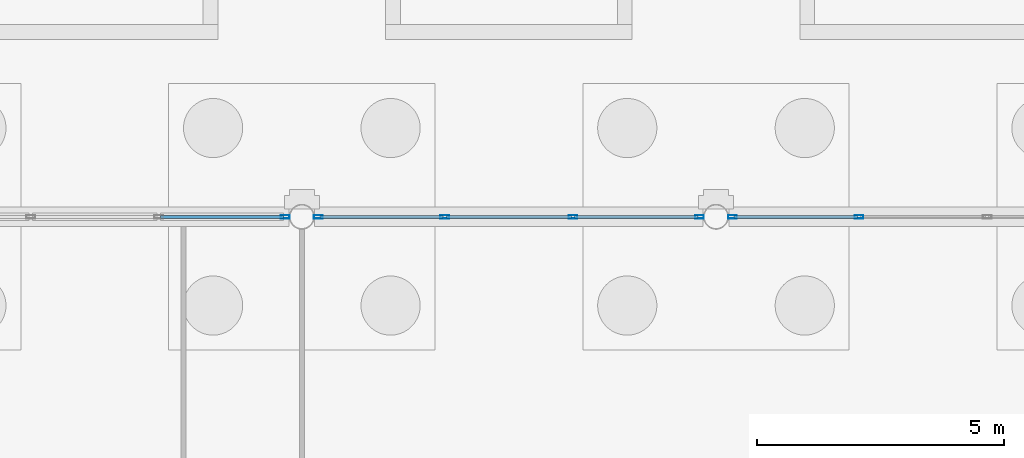
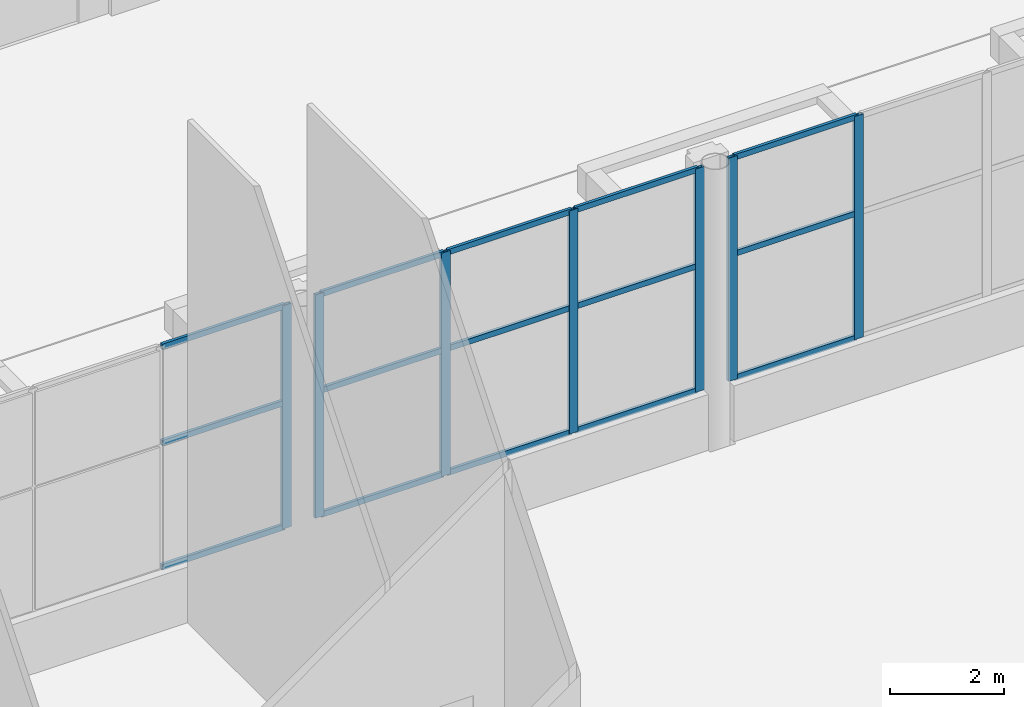
# One storey, part 140 of 212: 22 members, 3 elements without a shape of their own.
"""IFC4 building model written with IfcOpenShell, lengths in metres."""

import ifcopenshell
import ifcopenshell.guid

model = None  # the IFC model being written
_history = None  # IfcOwnerHistory: only IFC2X3 demands one
_inside = {}  # id of a spatial element -> (the spatial element, [elements in it])
_under = {}  # id of a project, library or spatial element -> (it, [spatial elements below it])
_declared = {}  # id of a project -> (the project, [libraries it declares])
_typed = {}  # id of a type object -> (the type object, [elements of that type])
_made_of = {}  # id of a material, layer set ... -> (it, [elements and type objects made of it])


def new_model(schema):
    """Start an empty IFC model of exactly this schema.

    Asked for "IFC4X3", IfcOpenShell would pick the latest addendum, in which some entities
    have other attributes; the version numbers below select the first issue.
    IFC2X3 requires an IfcOwnerHistory on every rooted entity: one is made here for all.
    """
    global model, _history
    if schema == "IFC4X3":
        model = ifcopenshell.file(schema_version=(4, 3, 0, 0))
    else:
        model = ifcopenshell.file(schema=schema)
    _inside.clear()
    _under.clear()
    _declared.clear()
    _typed.clear()
    _made_of.clear()
    _history = None
    if model.schema == "IFC2X3":
        org = make("IfcOrganization", Name="unknown")
        user = make(
            "IfcPersonAndOrganization",
            ThePerson=make("IfcPerson", FamilyName="unknown"),
            TheOrganization=org,
        )
        app = make(
            "IfcApplication",
            ApplicationDeveloper=org,
            Version="unknown",
            ApplicationFullName="unknown",
            ApplicationIdentifier="unknown",
        )
        _history = make(
            "IfcOwnerHistory",
            OwningUser=user,
            OwningApplication=app,
            ChangeAction="ADDED",
            CreationDate=0,
        )
    return model


def make(cls, **values):
    """One entity of the class cls with the attributes given. An attribute that is None is left unset."""
    return model.create_entity(
        cls, **{name: value for name, value in values.items() if value is not None}
    )


def rooted(cls, **values):
    """An entity with a GlobalId (a new one), such as an element, a storey or a relation."""
    return make(cls, GlobalId=ifcopenshell.guid.new(), OwnerHistory=_history, **values)


def si_unit(unit_type, name, prefix=None):
    """IfcSIUnit, for example si_unit("LENGTHUNIT", "METRE", prefix="MILLI")."""
    return make("IfcSIUnit", UnitType=unit_type, Prefix=prefix, Name=name)


def assignment(units):
    """IfcUnitAssignment: the units of a project."""
    return None if units is None else make("IfcUnitAssignment", Units=units)


def point(xyz):
    """IfcCartesianPoint."""
    return None if xyz is None else make("IfcCartesianPoint", Coordinates=xyz)


def direction(xyz):
    """IfcDirection."""
    return None if xyz is None else make("IfcDirection", DirectionRatios=xyz)


def frame(location, z_axis=None, x_axis=None):
    """IfcAxis2Placement3D, a coordinate frame: its origin and axes. An axis left out is left unset."""
    return make(
        "IfcAxis2Placement3D",
        Location=point(location),
        Axis=direction(z_axis),
        RefDirection=direction(x_axis),
    )


def frame_2d(location, x_axis=None):
    """IfcAxis2Placement2D, a coordinate frame in the plane: its origin and x axis."""
    return make(
        "IfcAxis2Placement2D", Location=point(location), RefDirection=direction(x_axis)
    )


def origin():
    """The frame at (0, 0, 0) with its axes left unset."""
    return frame((0.0, 0.0, 0.0))


def origin_2d():
    """The frame at (0, 0) in the plane with its x axis left unset."""
    return frame_2d((0.0, 0.0))


def place(relative_to, where):
    """IfcLocalPlacement: puts the frame where relative to a parent placement (None: the world)."""
    return make(
        "IfcLocalPlacement", PlacementRelTo=relative_to, RelativePlacement=where
    )


def context(
    kind, dimensions, precision=None, world=None, true_north=None, identifier=None
):
    """IfcGeometricRepresentationContext, for example the 3D "Model" context."""
    return make(
        "IfcGeometricRepresentationContext",
        ContextIdentifier=identifier,
        ContextType=kind,
        CoordinateSpaceDimension=dimensions,
        Precision=precision,
        WorldCoordinateSystem=world,
        TrueNorth=true_north,
    )


def subcontext(parent, identifier, kind, view, scale=None):
    """IfcGeometricRepresentationSubContext, for example "Body" below "Model"."""
    return make(
        "IfcGeometricRepresentationSubContext",
        ContextIdentifier=identifier,
        ContextType=kind,
        ParentContext=parent,
        TargetScale=scale,
        TargetView=view,
    )


def project(units=None, contexts=None):
    """IfcProject with its units and contexts."""
    return rooted(
        "IfcProject",
        Name="project",
        RepresentationContexts=contexts,
        UnitsInContext=assignment(units),
    )


def spatial(cls, under=None, at=None, **own):
    """A site, building, storey or space (cls), placed at a placement, below another one or the project."""
    s = rooted(cls, ObjectPlacement=at, **own)
    if under is not None:
        _under.setdefault(under.id(), (under, []))[1].append(s)
    return s


def profile(cls, at=None, kind="AREA", **sizes):
    """A parametric profile (cls). Its sizes go by their IFC names, for example OverallWidth=200.0."""
    return make(cls, ProfileType=kind, Position=at, **sizes)


def hollow_rectangle(**sizes):
    """IfcRectangleHollowProfileDef."""
    return profile("IfcRectangleHollowProfileDef", **sizes)


def extrude(swept, where, along, depth):
    """IfcExtrudedAreaSolid: the profile swept, set in the frame where, extruded along a direction by depth."""
    return make(
        "IfcExtrudedAreaSolid",
        SweptArea=swept,
        Position=where,
        ExtrudedDirection=direction(along),
        Depth=depth,
    )


def shape(context_of_items, identifier, shape_type, items):
    """IfcShapeRepresentation: the items that make up one representation, for example the "Body"."""
    return make(
        "IfcShapeRepresentation",
        ContextOfItems=context_of_items,
        RepresentationIdentifier=identifier,
        RepresentationType=shape_type,
        Items=items,
    )


def material(Name=None, Category=None):
    """IfcMaterial."""
    return make("IfcMaterial", Name=Name, Category=Category)


def material_profile(
    of_material, cross_section, Name=None, Category=None, Priority=None
):
    """IfcMaterialProfile: a cross section and its material."""
    return make(
        "IfcMaterialProfile",
        Name=Name,
        Material=of_material,
        Profile=cross_section,
        Priority=Priority,
        Category=Category,
    )


def profile_set(profiles, Name=None, composite=None):
    """IfcMaterialProfileSet."""
    return make(
        "IfcMaterialProfileSet",
        Name=Name,
        MaterialProfiles=profiles,
        CompositeProfile=composite,
    )


def made_of(thing, what):
    """Note that an element or type object is made of a material, layer set ...; save() writes the relation."""
    if what is not None:
        _made_of.setdefault(what.id(), (what, []))[1].append(thing)
    return thing


def type_object(cls, material=None, **own):
    """A type object (cls), such as IfcWallType, which elements share."""
    return made_of(rooted(cls, **own), material)


def element(
    cls,
    number,
    at=None,
    inside=None,
    cuts=None,
    type_object=None,
    material=None,
    context=None,
    identifier="Body",
    shape_type=None,
    held_by="IfcProductDefinitionShape",
    body=None,
    shapes=None,
    **own,
):
    """One element of the class cls, such as IfcWall. Its Tag is "e" and its number.

    at: its placement. inside: the storey or other place that contains it. cuts: it is an
    opening in that element (IfcRelVoidsElement). A single representation is given by context,
    identifier, shape_type and body (its items); several are given by shapes. held_by: the class
    of the entity that holds the representations. save() writes the other relations.
    """
    e = rooted(cls, Tag="e%d" % number, ObjectPlacement=at, **own)
    if body is not None:
        shapes = [shape(context, identifier, shape_type, body)]
    if shapes is not None:
        e.Representation = make(held_by, Representations=shapes)
    if inside is not None:
        _inside.setdefault(inside.id(), (inside, []))[1].append(e)
    if cuts is not None:
        rooted(
            "IfcRelVoidsElement", RelatingBuildingElement=cuts, RelatedOpeningElement=e
        )
    if type_object is not None:
        _typed.setdefault(type_object.id(), (type_object, []))[1].append(e)
    return made_of(e, material)


def aggregate(whole, parts):
    """IfcRelAggregates: a whole, such as a stair, and the parts it consists of."""
    return rooted("IfcRelAggregates", RelatingObject=whole, RelatedObjects=parts)


def save(model, path):
    """Write the relations noted so far, then the file.

    IfcRelAggregates (storeys below a building ...), IfcRelContainedInSpatialStructure (elements
    in a storey), IfcRelDefinesByType, IfcRelAssociatesMaterial and IfcRelDeclares: one each for
    every whole, place, type object, material and project.
    """
    for whole, parts in _under.values():
        aggregate(whole, parts)
    for where, things in _inside.values():
        rooted(
            "IfcRelContainedInSpatialStructure",
            RelatedElements=things,
            RelatingStructure=where,
        )
    for kind, things in _typed.values():
        rooted("IfcRelDefinesByType", RelatedObjects=things, RelatingType=kind)
    for what, things in _made_of.values():
        rooted("IfcRelAssociatesMaterial", RelatedObjects=things, RelatingMaterial=what)
    for by, libraries in _declared.values():
        rooted("IfcRelDeclares", RelatingContext=by, RelatedDefinitions=libraries)
    model.write(path)


model = new_model("IFC4")

# Units and contexts
model_context = context("Model", 3, precision=1e-05, world=origin(), true_north=direction((0.0, 1.0)))
body_context = subcontext(model_context, "Body", "Model", "MODEL_VIEW")
ifc_project = project(units=[si_unit("LENGTHUNIT", "METRE"), si_unit("AREAUNIT", "SQUARE_METRE"), si_unit("VOLUMEUNIT", "CUBIC_METRE"), si_unit("PLANEANGLEUNIT", "RADIAN"), si_unit("MASSUNIT", "GRAM", prefix="KILO")], contexts=[model_context])

# Site, building, storey
site_placement = place(None, origin())
site = spatial("IfcSite", under=ifc_project, at=site_placement, CompositionType="ELEMENT")
building_placement = place(site_placement, origin())
building = spatial("IfcBuilding", under=site, at=building_placement, Name="Catenary Quay Ferry Terminal", CompositionType="ELEMENT")
storey_placement = place(building_placement, origin())
storey = spatial("IfcBuildingStorey", under=building, at=storey_placement, Name="L00", CompositionType="ELEMENT", Elevation=0.0)

# Curtain wall, member
ifc_material_1 = material(Name="Aluminium and glass", Category="aluminium")
curtain_wall_type_1 = type_object("IfcCurtainWallType", Name="CWW4", PredefinedType="NOTDEFINED", material=ifc_material_1)
curtain_wall_1_placement = place(storey_placement, origin())
curtain_wall_1 = element("IfcCurtainWall", 1, at=curtain_wall_1_placement, inside=storey, type_object=curtain_wall_type_1, Name="Hall curtain wall CW42", PredefinedType="NOTDEFINED")
ifc_material_2 = material(Name="Aluminium", Category="aluminium")
ifc_material_profile_1 = material_profile(ifc_material_2, hollow_rectangle(XDim=0.070068359375, YDim=0.179931640625, WallThickness=0.006103515625, at=origin_2d()), Name="MU3")
ifc_profile_set_1 = profile_set([ifc_material_profile_1], Name="Aluminium")
member_type_1 = type_object("IfcMemberType", Name="MU3", PredefinedType="MULLION", material=ifc_profile_set_1)
member_1_placement = place(storey_placement, frame((50.06494140625, 142.800048828125, 1.199951171875), z_axis=(0.0, 0.0, 1.0), x_axis=(0.0, 1.0, 0.0)))
member_1 = element("IfcMember", 2, at=member_1_placement, type_object=member_type_1, Name="CW42 mullion 4", PredefinedType="MULLION", context=body_context, shape_type="SweptSolid", body=[
    extrude(hollow_rectangle(XDim=0.070068359375, YDim=0.179931640625, WallThickness=0.006103515625, at=origin_2d()), origin(), (0.0, 0.0, 1.0), 4.800048828125),
])

# Curtain wall, members
ifc_material_3 = material(Name="Aluminium and glass", Category="aluminium")
curtain_wall_type_2 = type_object("IfcCurtainWallType", Name="CWH", PredefinedType="NOTDEFINED", material=ifc_material_3)
curtain_wall_2_placement = place(storey_placement, origin())
curtain_wall_2 = element("IfcCurtainWall", 3, at=curtain_wall_2_placement, inside=storey, type_object=curtain_wall_type_2, Name="Hall curtain wall CW43", PredefinedType="NOTDEFINED")
member_2_placement = place(storey_placement, frame((50.735107421875, 142.800048828125, 1.199951171875), z_axis=(0.0, 0.0, 1.0), x_axis=(0.0, 1.0, 0.0)))
member_2 = element("IfcMember", 4, at=member_2_placement, type_object=member_type_1, Name="CW43 mullion 1", PredefinedType="MULLION", context=body_context, shape_type="SweptSolid", body=[
    extrude(hollow_rectangle(XDim=0.070068359375, YDim=0.179931640625, WallThickness=0.006103515625, at=origin_2d()), origin(), (0.0, 0.0, 1.0), 4.800048828125),
])
member_3_placement = place(storey_placement, frame((53.300048828125, 142.800048828125, 1.199951171875), z_axis=(0.0, 0.0, 1.0), x_axis=(0.0, 1.0, 0.0)))
member_3 = element("IfcMember", 5, at=member_3_placement, type_object=member_type_1, Name="CW43 mullion 2", PredefinedType="MULLION", context=body_context, shape_type="SweptSolid", body=[
    extrude(hollow_rectangle(XDim=0.070068359375, YDim=0.179931640625, WallThickness=0.006103515625, at=origin_2d()), origin(), (0.0, 0.0, 1.0), 4.800048828125),
])
member_4_placement = place(storey_placement, frame((55.89990234375, 142.800048828125, 1.199951171875), z_axis=(0.0, 0.0, 1.0), x_axis=(0.0, 1.0, 0.0)))
member_4 = element("IfcMember", 6, at=member_4_placement, type_object=member_type_1, Name="CW43 mullion 3", PredefinedType="MULLION", context=body_context, shape_type="SweptSolid", body=[
    extrude(hollow_rectangle(XDim=0.070068359375, YDim=0.179931640625, WallThickness=0.006103515625, at=origin_2d()), origin(), (0.0, 0.0, 1.0), 4.800048828125),
])
member_5_placement = place(storey_placement, frame((58.465087890625, 142.800048828125, 1.199951171875), z_axis=(0.0, 0.0, 1.0), x_axis=(0.0, 1.0, 0.0)))
member_5 = element("IfcMember", 7, at=member_5_placement, type_object=member_type_1, Name="CW43 mullion 4", PredefinedType="MULLION", context=body_context, shape_type="SweptSolid", body=[
    extrude(hollow_rectangle(XDim=0.070068359375, YDim=0.179931640625, WallThickness=0.006103515625, at=origin_2d()), origin(), (0.0, 0.0, 1.0), 4.800048828125),
])

curtain_wall_3_placement = place(storey_placement, origin())
curtain_wall_3 = element("IfcCurtainWall", 8, at=curtain_wall_3_placement, inside=storey, type_object=curtain_wall_type_2, Name="Hall curtain wall CW44", PredefinedType="NOTDEFINED")
member_6_placement = place(storey_placement, frame((59.135009765625, 142.800048828125, 1.199951171875), z_axis=(0.0, 0.0, 1.0), x_axis=(0.0, 1.0, 0.0)))
member_6 = element("IfcMember", 9, at=member_6_placement, type_object=member_type_1, Name="CW44 mullion 1", PredefinedType="MULLION", context=body_context, shape_type="SweptSolid", body=[
    extrude(hollow_rectangle(XDim=0.070068359375, YDim=0.179931640625, WallThickness=0.006103515625, at=origin_2d()), origin(), (0.0, 0.0, 1.0), 4.800048828125),
])
member_7_placement = place(storey_placement, frame((61.699951171875, 142.800048828125, 1.199951171875), z_axis=(0.0, 0.0, 1.0), x_axis=(0.0, 1.0, 0.0)))
member_7 = element("IfcMember", 10, at=member_7_placement, type_object=member_type_1, Name="CW44 mullion 2", PredefinedType="MULLION", context=body_context, shape_type="SweptSolid", body=[
    extrude(hollow_rectangle(XDim=0.070068359375, YDim=0.179931640625, WallThickness=0.006103515625, at=origin_2d()), origin(), (0.0, 0.0, 1.0), 4.800048828125),
])

# Member
ifc_material_4 = material(Name="Aluminium", Category="aluminium")
ifc_material_profile_2 = material_profile(ifc_material_4, hollow_rectangle(XDim=0.06005859375, YDim=0.1201171875, WallThickness=0.0048828125, at=origin_2d()), Name="TR3")
ifc_profile_set_2 = profile_set([ifc_material_profile_2], Name="Aluminium")
member_type_2 = type_object("IfcMemberType", Name="TR3", PredefinedType="USERDEFINED", material=ifc_profile_set_2)
member_8_placement = place(storey_placement, frame((47.534912109375, 142.800048828125, 1.22998046875), z_axis=(1.0, 0.0, 0.0), x_axis=(0.0, 1.0, 0.0)))
member_8 = element("IfcMember", 11, at=member_8_placement, type_object=member_type_2, Name="CW42 transom 3.1", ObjectType="TRANSOM", PredefinedType="USERDEFINED", context=body_context, shape_type="SweptSolid", body=[
    extrude(hollow_rectangle(XDim=0.06005859375, YDim=0.1201171875, WallThickness=0.0048828125, at=origin_2d()), origin(), (0.0, 0.0, 1.0), 2.4951171875),
])

member_9_placement = place(storey_placement, frame((47.534912109375, 142.800048828125, 3.89990234375), z_axis=(1.0, 0.0, 0.0), x_axis=(0.0, 1.0, 0.0)))
member_9 = element("IfcMember", 12, at=member_9_placement, type_object=member_type_2, Name="CW42 transom 3.2", ObjectType="TRANSOM", PredefinedType="USERDEFINED", context=body_context, shape_type="SweptSolid", body=[
    extrude(hollow_rectangle(XDim=0.06005859375, YDim=0.1201171875, WallThickness=0.0048828125, at=origin_2d()), origin(), (0.0, 0.0, 1.0), 2.4951171875),
])

member_10_placement = place(storey_placement, frame((47.534912109375, 142.800048828125, 5.969970703125), z_axis=(1.0, 0.0, 0.0), x_axis=(0.0, 1.0, 0.0)))
member_10 = element("IfcMember", 13, at=member_10_placement, type_object=member_type_2, Name="CW42 transom 3.3", ObjectType="TRANSOM", PredefinedType="USERDEFINED", context=body_context, shape_type="SweptSolid", body=[
    extrude(hollow_rectangle(XDim=0.06005859375, YDim=0.1201171875, WallThickness=0.0048828125, at=origin_2d()), origin(), (0.0, 0.0, 1.0), 2.4951171875),
])

aggregate(curtain_wall_1, [member_1, member_8, member_9, member_10])

member_11_placement = place(storey_placement, frame((50.77001953125, 142.800048828125, 1.22998046875), z_axis=(1.0, 0.0, 0.0), x_axis=(0.0, 1.0, 0.0)))
member_11 = element("IfcMember", 14, at=member_11_placement, type_object=member_type_2, Name="CW43 transom 1.1", ObjectType="TRANSOM", PredefinedType="USERDEFINED", context=body_context, shape_type="SweptSolid", body=[
    extrude(hollow_rectangle(XDim=0.06005859375, YDim=0.1201171875, WallThickness=0.0048828125, at=origin_2d()), origin(), (0.0, 0.0, 1.0), 2.494873046875),
])

member_12_placement = place(storey_placement, frame((50.77001953125, 142.800048828125, 3.89990234375), z_axis=(1.0, 0.0, 0.0), x_axis=(0.0, 1.0, 0.0)))
member_12 = element("IfcMember", 15, at=member_12_placement, type_object=member_type_2, Name="CW43 transom 1.2", ObjectType="TRANSOM", PredefinedType="USERDEFINED", context=body_context, shape_type="SweptSolid", body=[
    extrude(hollow_rectangle(XDim=0.06005859375, YDim=0.1201171875, WallThickness=0.0048828125, at=origin_2d()), origin(), (0.0, 0.0, 1.0), 2.494873046875),
])

member_13_placement = place(storey_placement, frame((50.77001953125, 142.800048828125, 5.969970703125), z_axis=(1.0, 0.0, 0.0), x_axis=(0.0, 1.0, 0.0)))
member_13 = element("IfcMember", 16, at=member_13_placement, type_object=member_type_2, Name="CW43 transom 1.3", ObjectType="TRANSOM", PredefinedType="USERDEFINED", context=body_context, shape_type="SweptSolid", body=[
    extrude(hollow_rectangle(XDim=0.06005859375, YDim=0.1201171875, WallThickness=0.0048828125, at=origin_2d()), origin(), (0.0, 0.0, 1.0), 2.494873046875),
])

member_14_placement = place(storey_placement, frame((53.3349609375, 142.800048828125, 1.22998046875), z_axis=(1.0, 0.0, 0.0), x_axis=(0.0, 1.0, 0.0)))
member_14 = element("IfcMember", 17, at=member_14_placement, type_object=member_type_2, Name="CW43 transom 2.1", ObjectType="TRANSOM", PredefinedType="USERDEFINED", context=body_context, shape_type="SweptSolid", body=[
    extrude(hollow_rectangle(XDim=0.06005859375, YDim=0.1201171875, WallThickness=0.0048828125, at=origin_2d()), origin(), (0.0, 0.0, 1.0), 2.530029296875),
])

member_15_placement = place(storey_placement, frame((53.3349609375, 142.800048828125, 3.89990234375), z_axis=(1.0, 0.0, 0.0), x_axis=(0.0, 1.0, 0.0)))
member_15 = element("IfcMember", 18, at=member_15_placement, type_object=member_type_2, Name="CW43 transom 2.2", ObjectType="TRANSOM", PredefinedType="USERDEFINED", context=body_context, shape_type="SweptSolid", body=[
    extrude(hollow_rectangle(XDim=0.06005859375, YDim=0.1201171875, WallThickness=0.0048828125, at=origin_2d()), origin(), (0.0, 0.0, 1.0), 2.530029296875),
])

member_16_placement = place(storey_placement, frame((53.3349609375, 142.800048828125, 5.969970703125), z_axis=(1.0, 0.0, 0.0), x_axis=(0.0, 1.0, 0.0)))
member_16 = element("IfcMember", 19, at=member_16_placement, type_object=member_type_2, Name="CW43 transom 2.3", ObjectType="TRANSOM", PredefinedType="USERDEFINED", context=body_context, shape_type="SweptSolid", body=[
    extrude(hollow_rectangle(XDim=0.06005859375, YDim=0.1201171875, WallThickness=0.0048828125, at=origin_2d()), origin(), (0.0, 0.0, 1.0), 2.530029296875),
])

member_17_placement = place(storey_placement, frame((55.93505859375, 142.800048828125, 1.22998046875), z_axis=(1.0, 0.0, 0.0), x_axis=(0.0, 1.0, 0.0)))
member_17 = element("IfcMember", 20, at=member_17_placement, type_object=member_type_2, Name="CW43 transom 3.1", ObjectType="TRANSOM", PredefinedType="USERDEFINED", context=body_context, shape_type="SweptSolid", body=[
    extrude(hollow_rectangle(XDim=0.06005859375, YDim=0.1201171875, WallThickness=0.0048828125, at=origin_2d()), origin(), (0.0, 0.0, 1.0), 2.494873046875),
])

member_18_placement = place(storey_placement, frame((55.93505859375, 142.800048828125, 3.89990234375), z_axis=(1.0, 0.0, 0.0), x_axis=(0.0, 1.0, 0.0)))
member_18 = element("IfcMember", 21, at=member_18_placement, type_object=member_type_2, Name="CW43 transom 3.2", ObjectType="TRANSOM", PredefinedType="USERDEFINED", context=body_context, shape_type="SweptSolid", body=[
    extrude(hollow_rectangle(XDim=0.06005859375, YDim=0.1201171875, WallThickness=0.0048828125, at=origin_2d()), origin(), (0.0, 0.0, 1.0), 2.494873046875),
])

member_19_placement = place(storey_placement, frame((55.93505859375, 142.800048828125, 5.969970703125), z_axis=(1.0, 0.0, 0.0), x_axis=(0.0, 1.0, 0.0)))
member_19 = element("IfcMember", 22, at=member_19_placement, type_object=member_type_2, Name="CW43 transom 3.3", ObjectType="TRANSOM", PredefinedType="USERDEFINED", context=body_context, shape_type="SweptSolid", body=[
    extrude(hollow_rectangle(XDim=0.06005859375, YDim=0.1201171875, WallThickness=0.0048828125, at=origin_2d()), origin(), (0.0, 0.0, 1.0), 2.494873046875),
])

aggregate(curtain_wall_2, [member_2, member_3, member_4, member_5, member_11, member_12, member_13, member_14, member_15, member_16, member_17, member_18, member_19])

member_20_placement = place(storey_placement, frame((59.169921875, 142.800048828125, 1.22998046875), z_axis=(1.0, 0.0, 0.0), x_axis=(0.0, 1.0, 0.0)))
member_20 = element("IfcMember", 23, at=member_20_placement, type_object=member_type_2, Name="CW44 transom 1.1", ObjectType="TRANSOM", PredefinedType="USERDEFINED", context=body_context, shape_type="SweptSolid", body=[
    extrude(hollow_rectangle(XDim=0.06005859375, YDim=0.1201171875, WallThickness=0.0048828125, at=origin_2d()), origin(), (0.0, 0.0, 1.0), 2.4951171875),
])

member_21_placement = place(storey_placement, frame((59.169921875, 142.800048828125, 3.89990234375), z_axis=(1.0, 0.0, 0.0), x_axis=(0.0, 1.0, 0.0)))
member_21 = element("IfcMember", 24, at=member_21_placement, type_object=member_type_2, Name="CW44 transom 1.2", ObjectType="TRANSOM", PredefinedType="USERDEFINED", context=body_context, shape_type="SweptSolid", body=[
    extrude(hollow_rectangle(XDim=0.06005859375, YDim=0.1201171875, WallThickness=0.0048828125, at=origin_2d()), origin(), (0.0, 0.0, 1.0), 2.4951171875),
])

member_22_placement = place(storey_placement, frame((59.169921875, 142.800048828125, 5.969970703125), z_axis=(1.0, 0.0, 0.0), x_axis=(0.0, 1.0, 0.0)))
member_22 = element("IfcMember", 25, at=member_22_placement, type_object=member_type_2, Name="CW44 transom 1.3", ObjectType="TRANSOM", PredefinedType="USERDEFINED", context=body_context, shape_type="SweptSolid", body=[
    extrude(hollow_rectangle(XDim=0.06005859375, YDim=0.1201171875, WallThickness=0.0048828125, at=origin_2d()), origin(), (0.0, 0.0, 1.0), 2.4951171875),
])

aggregate(curtain_wall_3, [member_6, member_7, member_20, member_21, member_22])

save(model, "model.ifc")
